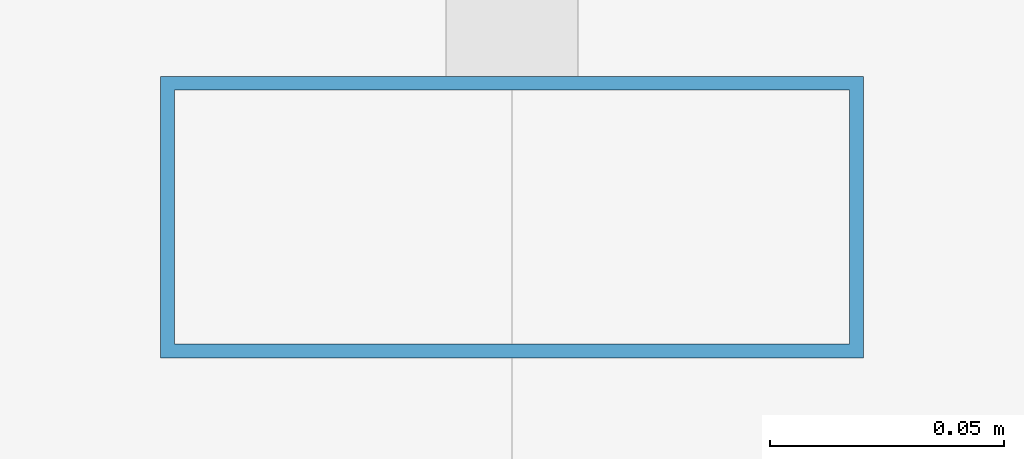
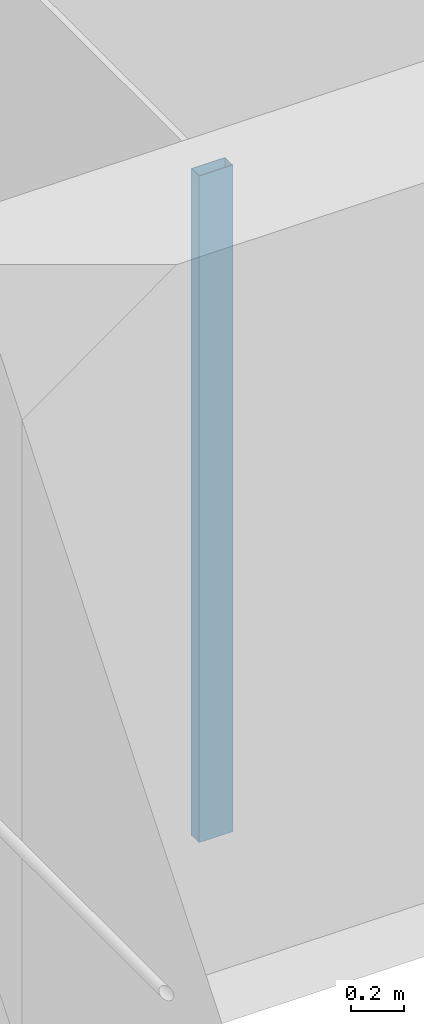
# One storey, part 11 of 47: 1 member, 1 element without a shape of its own.
"""IFC4 building model written with IfcOpenShell, lengths in metres."""

from ifc_helpers import new_model, si_unit, direction, frame, origin, origin_2d, place, context, subcontext, project, spatial, hollow_rectangle, extrude, material, material_profile, profile_set, type_object, element, aggregate, save


model = new_model("IFC4")

# Units and contexts
model_context = context("Model", 3, precision=1e-05, world=origin(), true_north=direction((0.0, 1.0)))
body_context = subcontext(model_context, "Body", "Model", "MODEL_VIEW")
ifc_project = project(units=[si_unit("LENGTHUNIT", "METRE"), si_unit("AREAUNIT", "SQUARE_METRE"), si_unit("VOLUMEUNIT", "CUBIC_METRE"), si_unit("PLANEANGLEUNIT", "RADIAN"), si_unit("MASSUNIT", "GRAM", prefix="KILO")], contexts=[model_context])

# Site, building, storey
site_placement = place(None, origin())
site = spatial("IfcSite", under=ifc_project, at=site_placement, CompositionType="ELEMENT")
building_placement = place(site_placement, origin())
building = spatial("IfcBuilding", under=site, at=building_placement, Name="Altepetl Exchange Towers", CompositionType="ELEMENT")
storey_placement = place(building_placement, frame((0.0, 0.0, 95.60009765625)))
storey = spatial("IfcBuildingStorey", under=building, at=storey_placement, Name="L23", CompositionType="ELEMENT", Elevation=95.60009765625)

# Curtain wall, member
ifc_material_1 = material(Name="Aluminium 6063-T6 glazing", Category="aluminium")
curtain_wall_type = type_object("IfcCurtainWallType", Name="Loggia glazing system", PredefinedType="NOTDEFINED", material=ifc_material_1)
curtain_wall_placement = place(storey_placement, origin())
curtain_wall = element("IfcCurtainWall", 1, at=curtain_wall_placement, inside=storey, type_object=curtain_wall_type, Name="CW1 run", PredefinedType="NOTDEFINED")
ifc_material_2 = material(Name="Aluminium 6063-T6", Category="aluminium")
ifc_material_profile = material_profile(ifc_material_2, hollow_rectangle(XDim=0.06005859375, YDim=0.14990234375, WallThickness=0.0029296875, at=origin_2d()), Name="Mullion 60x150 aluminium")
ifc_profile_set = profile_set([ifc_material_profile], Name="Aluminium 6063-T6")
member_type = type_object("IfcMemberType", Name="Mullion 60x150 aluminium", PredefinedType="MULLION", material=ifc_profile_set)
member_placement = place(storey_placement, frame((42.5, 58.60498046875, 0.0), z_axis=(0.0, 0.0, 1.0), x_axis=(0.0, -1.0, 0.0)))
member = element("IfcMember", 2, at=member_placement, type_object=member_type, Name="MU1 mullion", PredefinedType="MULLION", context=body_context, shape_type="SweptSolid", body=[
    extrude(hollow_rectangle(XDim=0.06005859375, YDim=0.14990234375, WallThickness=0.0029296875, at=origin_2d()), origin(), (0.0, 0.0, 1.0), 3.099853515625),
])
aggregate(curtain_wall, [member])

save(model, "model.ifc")
